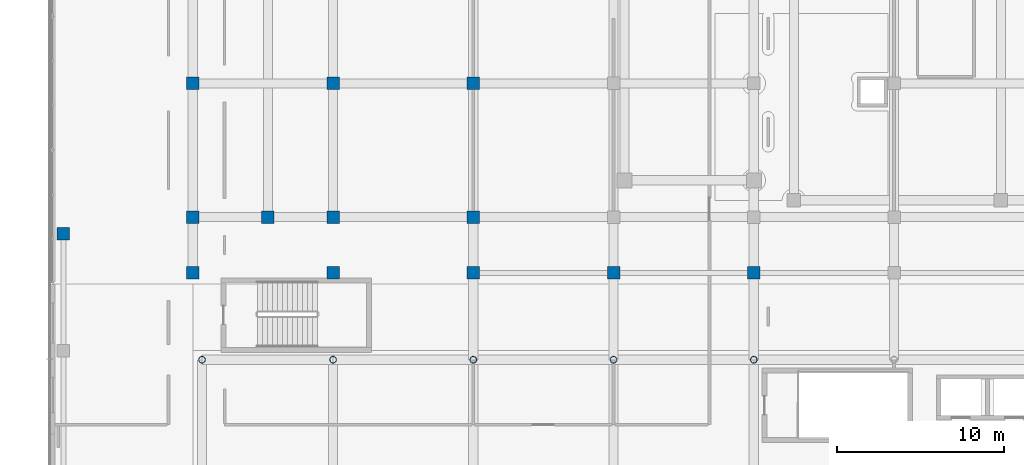
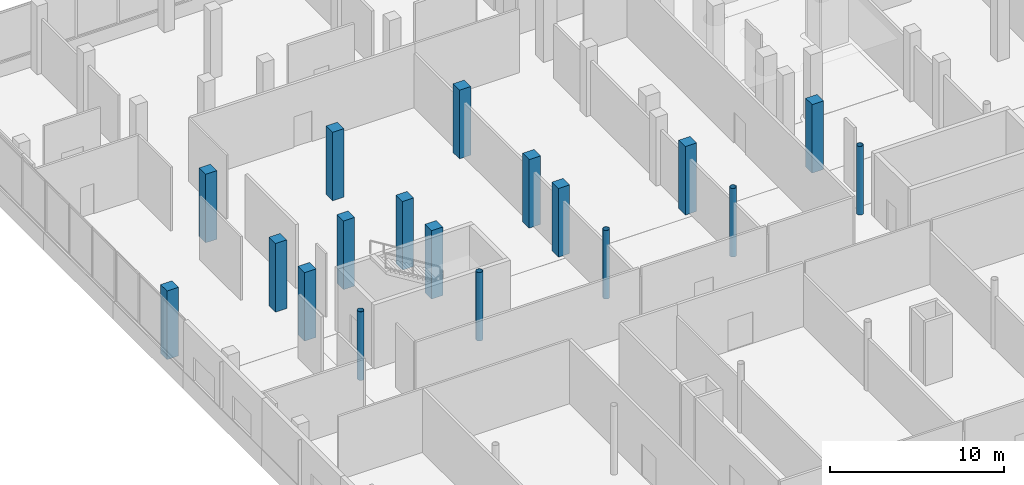
# One storey, part 7 of 155: 18 columns.
"""IFC4 building model written with IfcOpenShell, lengths in metres."""

from ifc_helpers import new_model, si_unit, direction, frame, origin, origin_2d, place, context, subcontext, project, spatial, rectangle, hollow_circle, extrude, material, material_profile, profile_set, type_object, element, save


model = new_model("IFC4")

# Units and contexts
model_context = context("Model", 3, precision=1e-05, world=origin(), true_north=direction((0.0, 1.0)))
body_context = subcontext(model_context, "Body", "Model", "MODEL_VIEW")
ifc_project = project(units=[si_unit("LENGTHUNIT", "METRE"), si_unit("AREAUNIT", "SQUARE_METRE"), si_unit("VOLUMEUNIT", "CUBIC_METRE"), si_unit("PLANEANGLEUNIT", "RADIAN"), si_unit("MASSUNIT", "GRAM", prefix="KILO")], contexts=[model_context])

# Site, building, storey
site_placement = place(None, origin())
site = spatial("IfcSite", under=ifc_project, at=site_placement, CompositionType="ELEMENT")
building_placement = place(site_placement, origin())
building = spatial("IfcBuilding", under=site, at=building_placement, Name="Selatvlak General Hospital", CompositionType="ELEMENT")
storey_placement = place(building_placement, frame((0.0, 0.0, 10.199951171875)))
storey = spatial("IfcBuildingStorey", under=building, at=storey_placement, Name="L02", CompositionType="ELEMENT", Elevation=10.199951171875)

# Columns
ifc_material_1 = material(Name="Steel S355", Category="steel")
ifc_material_profile_1 = material_profile(ifc_material_1, hollow_circle(Radius=0.203125, WallThickness=0.01611328125, at=origin_2d()), Name="CHS 406.4x16")
ifc_profile_set_1 = profile_set([ifc_material_profile_1], Name="Steel S355")
column_type_1 = type_object("IfcColumnType", Name="COL-CHS406", PredefinedType="COLUMN", material=ifc_profile_set_1)
for number, where, z_axis, x_axis, name in (
    (1, (23.35009765625, 83.449951171875, 0.0), (0.0, 0.0, 1.0), (1.0, 0.0, 0.0), "Column 003 on L02"),
    (2, (31.199951171875, 83.449951171875, 0.0), (0.0, 0.0, 1.0), (1.0, 0.0, 0.0), "Column 006 on L02"),
    (3, (39.60009765625, 83.449951171875, 0.0), (0.0, 0.0, 1.0), (1.0, 0.0, 0.0), "Column 009 on L02"),
    (4, (48.0, 83.449951171875, 0.0), (0.0, 0.0, 1.0), (1.0, 0.0, 0.0), "Column 012 on L02"),
    (5, (56.39990234375, 83.449951171875, 0.0), (0.0, 0.0, 1.0), (1.0, 0.0, 0.0), "Column 015 on L02"),
):
    element("IfcColumn", number, at=place(storey_placement, frame(where, z_axis=z_axis, x_axis=x_axis)), inside=storey, type_object=column_type_1, Name=name, PredefinedType="COLUMN", context=body_context, shape_type="SweptSolid", body=[
        extrude(hollow_circle(Radius=0.203125, WallThickness=0.01611328125, at=origin_2d()), origin(), (0.0, 0.0, 1.0), 4.800048828125),
    ])
ifc_material_2 = material(Name="Concrete C50/60", Category="concrete")
ifc_material_profile_2 = material_profile(ifc_material_2, rectangle(XDim=0.75, YDim=0.75, at=origin_2d()), Name="RC-COL 750x750")
ifc_profile_set_2 = profile_set([ifc_material_profile_2], Name="Concrete C50/60")
column_type_2 = type_object("IfcColumnType", Name="COL-RC75", PredefinedType="COLUMN", material=ifc_profile_set_2)
for number, where, z_axis, x_axis, name in (
    (6, (15.050048828125, 91.0, 0.0), (0.0, 0.0, 1.0), (1.0, 0.0, 0.0), "Column 070 on L02"),
    (7, (27.300048828125, 92.0, 0.0), (0.0, 0.0, 1.0), (1.0, 0.0, 0.0), "Column 111 on L02"),
    (8, (22.800048828125, 88.64990234375, 0.0), (0.0, 0.0, 1.0), (1.0, 0.0, 0.0), "Column 158 on L02"),
    (9, (22.800048828125, 92.0, 0.0), (0.0, 0.0, 1.0), (1.0, 0.0, 0.0), "Column 159 on L02"),
    (10, (22.800048828125, 100.0, 0.0), (0.0, 0.0, 1.0), (1.0, 0.0, 0.0), "Column 160 on L02"),
    (11, (31.199951171875, 88.64990234375, 0.0), (0.0, 0.0, 1.0), (1.0, 0.0, 0.0), "Column 164 on L02"),
    (12, (31.199951171875, 92.0, 0.0), (0.0, 0.0, 1.0), (1.0, 0.0, 0.0), "Column 165 on L02"),
    (13, (31.199951171875, 100.0, 0.0), (0.0, 0.0, 1.0), (1.0, 0.0, 0.0), "Column 166 on L02"),
    (14, (39.60009765625, 88.64990234375, 0.0), (0.0, 0.0, 1.0), (1.0, 0.0, 0.0), "Column 170 on L02"),
    (15, (39.60009765625, 92.0, 0.0), (0.0, 0.0, 1.0), (1.0, 0.0, 0.0), "Column 171 on L02"),
    (16, (39.60009765625, 100.0, 0.0), (0.0, 0.0, 1.0), (1.0, 0.0, 0.0), "Column 172 on L02"),
    (17, (48.0, 88.64990234375, 0.0), (0.0, 0.0, 1.0), (1.0, 0.0, 0.0), "Column 177 on L02"),
    (18, (56.39990234375, 88.64990234375, 0.0), (0.0, 0.0, 1.0), (1.0, 0.0, 0.0), "Column 181 on L02"),
):
    element("IfcColumn", number, at=place(storey_placement, frame(where, z_axis=z_axis, x_axis=x_axis)), inside=storey, type_object=column_type_2, Name=name, PredefinedType="COLUMN", context=body_context, shape_type="SweptSolid", body=[
        extrude(rectangle(XDim=0.75, YDim=0.75, at=origin_2d()), origin(), (0.0, 0.0, 1.0), 4.800048828125),
    ])

save(model, "model.ifc")
